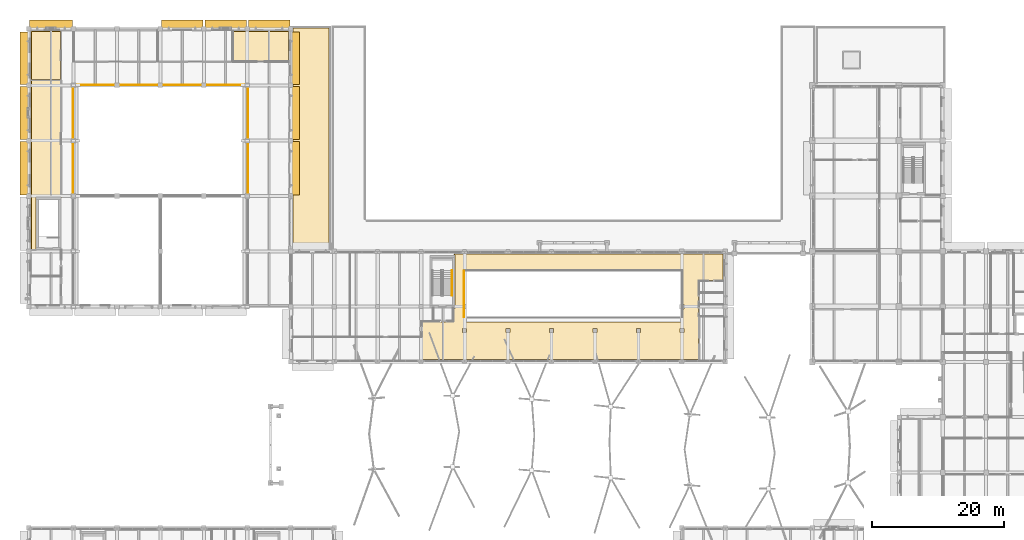
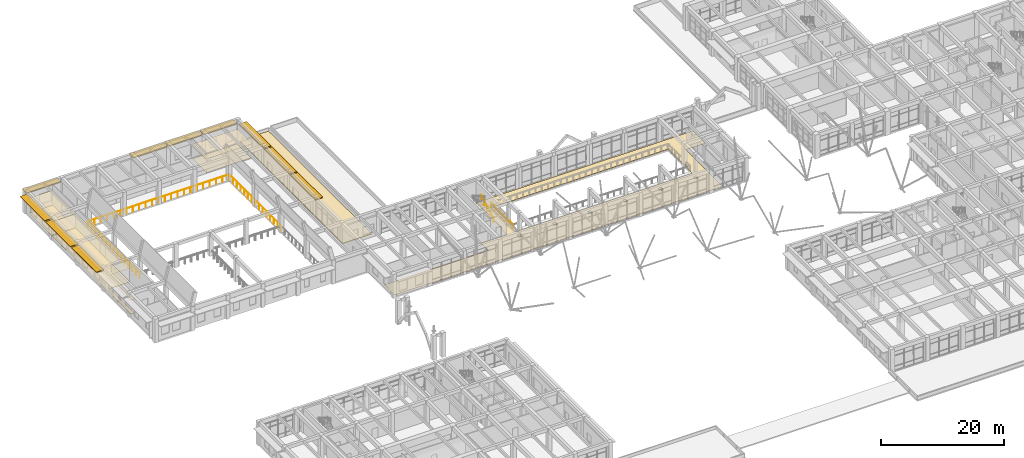
# One storey, part 69 of 75: 10 shading devices, 8 coverings, 5 railings.
"""IFC4 building model written with IfcOpenShell, lengths in metres."""

from ifc_helpers import new_model, si_unit, direction, frame, origin, origin_2d, place, context, subcontext, project, spatial, polyline, rectangle, circle, outline, extrude, material, layer, layer_set, type_object, element, save


model = new_model("IFC4")

# Units and contexts
model_context = context("Model", 3, precision=1e-05, world=origin(), true_north=direction((0.0, 1.0)))
body_context = subcontext(model_context, "Body", "Model", "MODEL_VIEW")
ifc_project = project(units=[si_unit("LENGTHUNIT", "METRE"), si_unit("AREAUNIT", "SQUARE_METRE"), si_unit("VOLUMEUNIT", "CUBIC_METRE"), si_unit("PLANEANGLEUNIT", "RADIAN"), si_unit("MASSUNIT", "GRAM", prefix="KILO")], contexts=[model_context])

# Site, building, storey
site_placement = place(None, origin())
site = spatial("IfcSite", under=ifc_project, at=site_placement, CompositionType="ELEMENT")
building_placement = place(site_placement, origin())
building = spatial("IfcBuilding", under=site, at=building_placement, Name="Kolvaren Faculty of Natural Sciences", CompositionType="ELEMENT")
storey_placement = place(building_placement, frame((0.0, 0.0, 5.39990234375)))
storey = spatial("IfcBuildingStorey", under=building, at=storey_placement, Name="L01", CompositionType="ELEMENT", Elevation=5.39990234375)

# Coverings
ifc_material_1 = material(Name="Perforated mineral-fibre acoustic suspended ceiling tile")
ifc_layer_1 = layer(ifc_material_1, 0.02490234375)
ifc_layer_set_1 = layer_set([ifc_layer_1], Name="Perforated mineral-fibre acoustic suspended ceiling tile")
covering_type_1 = type_object("IfcCoveringType", Name="AcousticSuspendedCeiling_25", PredefinedType="CEILING", material=ifc_layer_set_1)
covering_1_placement = place(storey_placement, frame((0.0, 0.0, 2.8251953125)))
element("IfcCovering", 1, at=covering_1_placement, inside=storey, type_object=covering_type_1, Name="L01 Simultaneous Interpretation Suite acoustic ceiling", PredefinedType="CEILING", context=body_context, shape_type="SweptSolid", body=[
    extrude(outline(polyline([(0.239990234375, 92.25), (0.35009765625, 92.25), (0.35009765625, 92.949951171875), (0.239990234375, 92.949951171875), (0.239990234375, 100.64990234375), (0.35009765625, 100.64990234375), (0.35009765625, 101.35009765625), (0.239990234375, 101.35009765625), (0.239990234375, 109.050048828125), (0.35009765625, 109.050048828125), (0.35009765625, 109.75), (0.239990234375, 109.75), (0.239990234375, 110.280029296875), (4.97998046875, 110.280029296875), (4.97998046875, 92.320068359375), (4.794921875, 92.320068359375), (4.794921875, 92.344970703125), (1.205078125, 92.344970703125), (1.205078125, 84.3701171875), (0.35009765625, 84.3701171875), (0.35009765625, 84.550048828125), (0.239990234375, 84.550048828125), (0.239990234375, 92.25)])), origin(), (0.0, 0.0, 1.0), 0.02490234375),
])
covering_2_placement = place(storey_placement, frame((0.0, 0.0, 2.8251953125)))
element("IfcCovering", 2, at=covering_2_placement, inside=storey, type_object=covering_type_1, Name="L01 Breakout Seminar Classroom V1-101 acoustic ceiling", PredefinedType="CEILING", context=body_context, shape_type="SweptSolid", body=[
    extrude(outline(polyline([(39.56005859375, 112.919921875), (30.919921875, 112.919921875), (30.919921875, 117.760009765625), (32.85009765625, 117.760009765625), (32.85009765625, 117.64990234375), (33.550048828125, 117.64990234375), (33.550048828125, 117.760009765625), (39.449951171875, 117.760009765625), (39.449951171875, 117.64990234375), (39.56005859375, 117.64990234375), (39.56005859375, 112.919921875)])), origin(), (0.0, 0.0, 1.0), 0.02490234375),
])
covering_3_placement = place(storey_placement, frame((0.0, 0.0, 2.8251953125)))
element("IfcCovering", 3, at=covering_3_placement, inside=storey, type_object=covering_type_1, Name="L01 L01 Interdisciplinary Research Laboratory 56 acoustic ceiling", PredefinedType="CEILING", context=body_context, shape_type="SweptSolid", body=[
    extrude(outline(polyline([(4.97998046875, 110.1201171875), (0.239990234375, 110.1201171875), (0.239990234375, 117.64990234375), (0.35009765625, 117.64990234375), (0.35009765625, 117.760009765625), (4.97998046875, 117.760009765625), (4.97998046875, 110.1201171875)])), origin(), (0.0, 0.0, 1.0), 0.02490234375),
])

# Shading devices
ifc_material_2 = material(Name="Precast concrete C35/45", Category="concrete")
ifc_layer_2 = layer(ifc_material_2, 0.1201171875)
ifc_layer_set_2 = layer_set([ifc_layer_2], Name="Precast concrete C35/45")
shading_device_type = type_object("IfcShadingDeviceType", Name="ChhajjaSolarHood_1350", PredefinedType="AWNING", material=ifc_layer_set_2)
for number, where, z_axis, x_axis, name in (
    (4, (-0.655029296875, 96.800048828125, 3.844970703125), (0.0, 0.0, 1.0), (0.0, 1.0, 0.0), "L01 precast sandstone chhajja solar hood 67"),
    (5, (-0.655029296875, 105.199951171875, 3.844970703125), (0.0, 0.0, 1.0), (0.0, 1.0, 0.0), "L01 precast sandstone chhajja solar hood 68"),
):
    element("IfcShadingDevice", number, at=place(storey_placement, frame(where, z_axis=z_axis, x_axis=x_axis)), inside=storey, type_object=shading_device_type, Name=name, PredefinedType="AWNING", context=body_context, shape_type="SweptSolid", body=[
        extrude(rectangle(XDim=8.10009765625, YDim=1.35009765625, at=origin_2d()), origin(), (0.0, 0.0, 1.0), 0.1201171875),
    ])
shading_device_1_placement = place(storey_placement, frame((-0.655029296875, 113.5400390625, 3.844970703125), z_axis=(0.0, 0.0, 1.0), x_axis=(0.0, 1.0, 0.0)))
element("IfcShadingDevice", 6, at=shading_device_1_placement, inside=storey, type_object=shading_device_type, Name="L01 precast sandstone chhajja solar hood 69", PredefinedType="AWNING", context=body_context, shape_type="SweptSolid", body=[
    extrude(rectangle(XDim=7.97998046875, YDim=1.35009765625, at=origin_2d()), origin(), (0.0, 0.0, 1.0), 0.1201171875),
])
shading_device_2_placement = place(storey_placement, frame((3.39990234375, 118.655029296875, 3.695068359375), z_axis=(0.0, 0.0, 1.0), x_axis=(1.0, 0.0, 0.0)))
element("IfcShadingDevice", 7, at=shading_device_2_placement, inside=storey, type_object=shading_device_type, Name="L01 precast sandstone chhajja solar hood 70", PredefinedType="AWNING", context=body_context, shape_type="SweptSolid", body=[
    extrude(rectangle(XDim=6.5, YDim=1.35009765625, at=origin_2d()), origin(), (0.0, 0.0, 1.0), 0.1201171875),
])
for number, where, z_axis, x_axis, name in (
    (8, (23.300048828125, 118.655029296875, 3.695068359375), (0.0, 0.0, 1.0), (1.0, 0.0, 0.0), "L01 precast sandstone chhajja solar hood 71"),
    (9, (29.89990234375, 118.655029296875, 3.695068359375), (0.0, 0.0, 1.0), (1.0, 0.0, 0.0), "L01 precast sandstone chhajja solar hood 72"),
    (10, (36.5, 118.655029296875, 3.695068359375), (0.0, 0.0, 1.0), (1.0, 0.0, 0.0), "L01 precast sandstone chhajja solar hood 73"),
):
    element("IfcShadingDevice", number, at=place(storey_placement, frame(where, z_axis=z_axis, x_axis=x_axis)), inside=storey, type_object=shading_device_type, Name=name, PredefinedType="AWNING", context=body_context, shape_type="SweptSolid", body=[
        extrude(rectangle(XDim=6.300048828125, YDim=1.35009765625, at=origin_2d()), origin(), (0.0, 0.0, 1.0), 0.1201171875),
    ])
shading_device_3_placement = place(storey_placement, frame((40.455078125, 113.5400390625, 3.844970703125), z_axis=(0.0, 0.0, 1.0), x_axis=(0.0, -1.0, 0.0)))
element("IfcShadingDevice", 11, at=shading_device_3_placement, inside=storey, type_object=shading_device_type, Name="L01 precast sandstone chhajja solar hood 74", PredefinedType="AWNING", context=body_context, shape_type="SweptSolid", body=[
    extrude(rectangle(XDim=7.97998046875, YDim=1.35009765625, at=origin_2d()), origin(), (0.0, 0.0, 1.0), 0.1201171875),
])
for number, where, z_axis, x_axis, name in (
    (12, (40.455078125, 105.199951171875, 3.844970703125), (0.0, 0.0, 1.0), (0.0, -1.0, 0.0), "L01 precast sandstone chhajja solar hood 75"),
    (13, (40.455078125, 96.800048828125, 3.844970703125), (0.0, 0.0, 1.0), (0.0, -1.0, 0.0), "L01 precast sandstone chhajja solar hood 76"),
):
    element("IfcShadingDevice", number, at=place(storey_placement, frame(where, z_axis=z_axis, x_axis=x_axis)), inside=storey, type_object=shading_device_type, Name=name, PredefinedType="AWNING", context=body_context, shape_type="SweptSolid", body=[
        extrude(rectangle(XDim=8.10009765625, YDim=1.35009765625, at=origin_2d()), origin(), (0.0, 0.0, 1.0), 0.1201171875),
    ])

# Railings
ifc_material_3 = material(Name="Structural steel EN 10210-1 S355J2H", Category="steel")
ifc_layer_3 = layer(ifc_material_3, 0.048095703125)
ifc_layer_set_3 = layer_set([ifc_layer_3], Name="Structural steel EN 10210-1 S355J2H")
railing_type_1 = type_object("IfcRailingType", Name="GuardRailing_GDVOID1", PredefinedType="BALUSTRADE", material=ifc_layer_set_3)
railing_1_placement = place(storey_placement, frame((66.1201171875, 74.199951171875, 0.0)))
element("IfcRailing", 14, at=railing_1_placement, inside=storey, type_object=railing_type_1, Name="L01 atrium void balustrade 27", PredefinedType="BALUSTRADE", context=body_context, shape_type="SweptSolid", body=[
    extrude(circle(Radius=0.02392578125, at=origin_2d()), frame((0.0, 0.0, 1.09619140625), z_axis=(0.0, 1.0, 0.0), x_axis=(-1.0, 0.0, 0.0)), (0.0, 0.0, 1.0), 7.0),
    extrude(circle(Radius=0.02099609375, at=origin_2d()), origin(), (0.0, 0.0, 1.0), 1.072021484375),
    extrude(circle(Radius=0.02099609375, at=origin_2d()), frame((0.0, 1.166748046875, 0.0)), (0.0, 0.0, 1.0), 1.072021484375),
    extrude(circle(Radius=0.02099609375, at=origin_2d()), frame((0.0, 2.333251953125, 0.0)), (0.0, 0.0, 1.0), 1.072021484375),
    extrude(circle(Radius=0.02099609375, at=origin_2d()), frame((0.0, 3.5, 0.0)), (0.0, 0.0, 1.0), 1.072021484375),
    extrude(circle(Radius=0.02099609375, at=origin_2d()), frame((0.0, 4.666748046875, 0.0)), (0.0, 0.0, 1.0), 1.072021484375),
    extrude(circle(Radius=0.02099609375, at=origin_2d()), frame((0.0, 5.833251953125, 0.0)), (0.0, 0.0, 1.0), 1.072021484375),
    extrude(circle(Radius=0.02099609375, at=origin_2d()), frame((0.0, 7.0, 0.0)), (0.0, 0.0, 1.0), 1.072021484375),
])
railing_2_placement = place(storey_placement, frame((6.719970703125, 92.60009765625, 0.0)))
element("IfcRailing", 15, at=railing_2_placement, inside=storey, type_object=railing_type_1, Name="L01 LT-1 gallery balustrade 39", PredefinedType="BALUSTRADE", context=body_context, shape_type="SweptSolid", body=[
    extrude(circle(Radius=0.02392578125, at=origin_2d()), frame((0.0, 0.0, 1.09619140625), z_axis=(0.0, 1.0, 0.0), x_axis=(-1.0, 0.0, 0.0)), (0.0, 0.0, 1.0), 16.7998046875),
    extrude(circle(Radius=0.02099609375, at=origin_2d()), origin(), (0.0, 0.0, 1.0), 1.072021484375),
    extrude(circle(Radius=0.02099609375, at=origin_2d()), frame((0.0, 1.199951171875, 0.0)), (0.0, 0.0, 1.0), 1.072021484375),
    extrude(circle(Radius=0.02099609375, at=origin_2d()), frame((0.0, 2.39990234375, 0.0)), (0.0, 0.0, 1.0), 1.072021484375),
    extrude(circle(Radius=0.02099609375, at=origin_2d()), frame((0.0, 3.599853515625, 0.0)), (0.0, 0.0, 1.0), 1.072021484375),
    extrude(circle(Radius=0.02099609375, at=origin_2d()), frame((0.0, 4.800048828125, 0.0)), (0.0, 0.0, 1.0), 1.072021484375),
    extrude(circle(Radius=0.02099609375, at=origin_2d()), frame((0.0, 6.0, 0.0)), (0.0, 0.0, 1.0), 1.072021484375),
    extrude(circle(Radius=0.02099609375, at=origin_2d()), frame((0.0, 7.199951171875, 0.0)), (0.0, 0.0, 1.0), 1.072021484375),
    extrude(circle(Radius=0.02099609375, at=origin_2d()), frame((0.0, 8.39990234375, 0.0)), (0.0, 0.0, 1.0), 1.072021484375),
    extrude(circle(Radius=0.02099609375, at=origin_2d()), frame((0.0, 9.599853515625, 0.0)), (0.0, 0.0, 1.0), 1.072021484375),
    extrude(circle(Radius=0.02099609375, at=origin_2d()), frame((0.0, 10.7998046875, 0.0)), (0.0, 0.0, 1.0), 1.072021484375),
    extrude(circle(Radius=0.02099609375, at=origin_2d()), frame((0.0, 11.999755859375, 0.0)), (0.0, 0.0, 1.0), 1.072021484375),
    extrude(circle(Radius=0.02099609375, at=origin_2d()), frame((0.0, 13.199951171875, 0.0)), (0.0, 0.0, 1.0), 1.072021484375),
    extrude(circle(Radius=0.02099609375, at=origin_2d()), frame((0.0, 14.39990234375, 0.0)), (0.0, 0.0, 1.0), 1.072021484375),
    extrude(circle(Radius=0.02099609375, at=origin_2d()), frame((0.0, 15.599853515625, 0.0)), (0.0, 0.0, 1.0), 1.072021484375),
    extrude(circle(Radius=0.02099609375, at=origin_2d()), frame((0.0, 16.7998046875, 0.0)), (0.0, 0.0, 1.0), 1.072021484375),
])
railing_3_placement = place(storey_placement, frame((6.800048828125, 109.47998046875, 0.0)))
element("IfcRailing", 16, at=railing_3_placement, inside=storey, type_object=railing_type_1, Name="L01 LT-1 gallery balustrade 40", PredefinedType="BALUSTRADE", context=body_context, shape_type="SweptSolid", body=[
    extrude(circle(Radius=0.02392578125, at=origin_2d()), frame((0.0, 0.0, 1.09619140625), z_axis=(1.0, 0.0, 0.0), x_axis=(0.0, 1.0, 0.0)), (0.0, 0.0, 1.0), 26.39990234375),
    extrude(circle(Radius=0.02099609375, at=origin_2d()), origin(), (0.0, 0.0, 1.0), 1.072021484375),
    extrude(circle(Radius=0.02099609375, at=origin_2d()), frame((1.199951171875, 0.0, 0.0)), (0.0, 0.0, 1.0), 1.072021484375),
    extrude(circle(Radius=0.02099609375, at=origin_2d()), frame((2.39990234375, 0.0, 0.0)), (0.0, 0.0, 1.0), 1.072021484375),
    extrude(circle(Radius=0.02099609375, at=origin_2d()), frame((3.60009765625, 0.0, 0.0)), (0.0, 0.0, 1.0), 1.072021484375),
    extrude(circle(Radius=0.02099609375, at=origin_2d()), frame((4.800048828125, 0.0, 0.0)), (0.0, 0.0, 1.0), 1.072021484375),
    extrude(circle(Radius=0.02099609375, at=origin_2d()), frame((6.0, 0.0, 0.0)), (0.0, 0.0, 1.0), 1.072021484375),
    extrude(circle(Radius=0.02099609375, at=origin_2d()), frame((7.199951171875, 0.0, 0.0)), (0.0, 0.0, 1.0), 1.072021484375),
    extrude(circle(Radius=0.02099609375, at=origin_2d()), frame((8.39990234375, 0.0, 0.0)), (0.0, 0.0, 1.0), 1.072021484375),
    extrude(circle(Radius=0.02099609375, at=origin_2d()), frame((9.599853515625, 0.0, 0.0)), (0.0, 0.0, 1.0), 1.072021484375),
    extrude(circle(Radius=0.02099609375, at=origin_2d()), frame((10.800048828125, 0.0, 0.0)), (0.0, 0.0, 1.0), 1.072021484375),
    extrude(circle(Radius=0.02099609375, at=origin_2d()), frame((12.0, 0.0, 0.0)), (0.0, 0.0, 1.0), 1.072021484375),
    extrude(circle(Radius=0.02099609375, at=origin_2d()), frame((13.199951171875, 0.0, 0.0)), (0.0, 0.0, 1.0), 1.072021484375),
    extrude(circle(Radius=0.02099609375, at=origin_2d()), frame((14.39990234375, 0.0, 0.0)), (0.0, 0.0, 1.0), 1.072021484375),
    extrude(circle(Radius=0.02099609375, at=origin_2d()), frame((15.599853515625, 0.0, 0.0)), (0.0, 0.0, 1.0), 1.072021484375),
    extrude(circle(Radius=0.02099609375, at=origin_2d()), frame((16.800048828125, 0.0, 0.0)), (0.0, 0.0, 1.0), 1.072021484375),
    extrude(circle(Radius=0.02099609375, at=origin_2d()), frame((18.0, 0.0, 0.0)), (0.0, 0.0, 1.0), 1.072021484375),
    extrude(circle(Radius=0.02099609375, at=origin_2d()), frame((19.199951171875, 0.0, 0.0)), (0.0, 0.0, 1.0), 1.072021484375),
    extrude(circle(Radius=0.02099609375, at=origin_2d()), frame((20.39990234375, 0.0, 0.0)), (0.0, 0.0, 1.0), 1.072021484375),
    extrude(circle(Radius=0.02099609375, at=origin_2d()), frame((21.599853515625, 0.0, 0.0)), (0.0, 0.0, 1.0), 1.072021484375),
    extrude(circle(Radius=0.02099609375, at=origin_2d()), frame((22.7998046875, 0.0, 0.0)), (0.0, 0.0, 1.0), 1.072021484375),
    extrude(circle(Radius=0.02099609375, at=origin_2d()), frame((24.0, 0.0, 0.0)), (0.0, 0.0, 1.0), 1.072021484375),
    extrude(circle(Radius=0.02099609375, at=origin_2d()), frame((25.199951171875, 0.0, 0.0)), (0.0, 0.0, 1.0), 1.072021484375),
    extrude(circle(Radius=0.02099609375, at=origin_2d()), frame((26.39990234375, 0.0, 0.0)), (0.0, 0.0, 1.0), 1.072021484375),
])
railing_4_placement = place(storey_placement, frame((33.280029296875, 109.39990234375, 0.0)))
element("IfcRailing", 17, at=railing_4_placement, inside=storey, type_object=railing_type_1, Name="L01 LT-1 gallery balustrade 41", PredefinedType="BALUSTRADE", context=body_context, shape_type="SweptSolid", body=[
    extrude(circle(Radius=0.02392578125, at=origin_2d()), frame((0.0, 0.0, 1.09619140625), z_axis=(0.0, -1.0, 0.0), x_axis=(1.0, 0.0, 0.0)), (0.0, 0.0, 1.0), 16.7998046875),
    extrude(circle(Radius=0.02099609375, at=origin_2d()), origin(), (0.0, 0.0, 1.0), 1.072021484375),
    extrude(circle(Radius=0.02099609375, at=origin_2d()), frame((0.0, -1.199951171875, 0.0)), (0.0, 0.0, 1.0), 1.072021484375),
    extrude(circle(Radius=0.02099609375, at=origin_2d()), frame((0.0, -2.39990234375, 0.0)), (0.0, 0.0, 1.0), 1.072021484375),
    extrude(circle(Radius=0.02099609375, at=origin_2d()), frame((0.0, -3.599853515625, 0.0)), (0.0, 0.0, 1.0), 1.072021484375),
    extrude(circle(Radius=0.02099609375, at=origin_2d()), frame((0.0, -4.800048828125, 0.0)), (0.0, 0.0, 1.0), 1.072021484375),
    extrude(circle(Radius=0.02099609375, at=origin_2d()), frame((0.0, -6.0, 0.0)), (0.0, 0.0, 1.0), 1.072021484375),
    extrude(circle(Radius=0.02099609375, at=origin_2d()), frame((0.0, -7.199951171875, 0.0)), (0.0, 0.0, 1.0), 1.072021484375),
    extrude(circle(Radius=0.02099609375, at=origin_2d()), frame((0.0, -8.39990234375, 0.0)), (0.0, 0.0, 1.0), 1.072021484375),
    extrude(circle(Radius=0.02099609375, at=origin_2d()), frame((0.0, -9.599853515625, 0.0)), (0.0, 0.0, 1.0), 1.072021484375),
    extrude(circle(Radius=0.02099609375, at=origin_2d()), frame((0.0, -10.7998046875, 0.0)), (0.0, 0.0, 1.0), 1.072021484375),
    extrude(circle(Radius=0.02099609375, at=origin_2d()), frame((0.0, -11.999755859375, 0.0)), (0.0, 0.0, 1.0), 1.072021484375),
    extrude(circle(Radius=0.02099609375, at=origin_2d()), frame((0.0, -13.199951171875, 0.0)), (0.0, 0.0, 1.0), 1.072021484375),
    extrude(circle(Radius=0.02099609375, at=origin_2d()), frame((0.0, -14.39990234375, 0.0)), (0.0, 0.0, 1.0), 1.072021484375),
    extrude(circle(Radius=0.02099609375, at=origin_2d()), frame((0.0, -15.599853515625, 0.0)), (0.0, 0.0, 1.0), 1.072021484375),
    extrude(circle(Radius=0.02099609375, at=origin_2d()), frame((0.0, -16.7998046875, 0.0)), (0.0, 0.0, 1.0), 1.072021484375),
])

# Coverings
ifc_material_4 = material(Name="SBS polymer-modified bitumen waterproofing membrane over PIR insulation")
ifc_layer_4 = layer(ifc_material_4, 0.139892578125)
ifc_layer_set_4 = layer_set([ifc_layer_4], Name="SBS polymer-modified bitumen waterproofing membrane over PIR insulation")
covering_type_2 = type_object("IfcCoveringType", Name="InsulatedRoofMembrane_140", PredefinedType="ROOFING", material=ifc_layer_set_4)
covering_4_placement = place(storey_placement, origin())
element("IfcCovering", 18, at=covering_4_placement, inside=storey, type_object=covering_type_2, Name="L01 insulated warm-roof waterproofing membrane 1", PredefinedType="ROOFING", context=body_context, shape_type="SweptSolid", body=[
    extrude(outline(polyline([(40.12158203125, 118.110107421875), (45.60009765625, 118.110107421875), (45.60009765625, 84.5400390625), (40.139892578125, 84.5400390625), (40.139892578125, 118.0), (40.1396484375, 118.01611328125), (40.139404296875, 118.01806640625), (40.135986328125, 118.052001953125), (40.1357421875, 118.0537109375), (40.129150390625, 118.085205078125), (40.128662109375, 118.087158203125), (40.124267578125, 118.102294921875), (40.12353515625, 118.10400390625), (40.12158203125, 118.110107421875)])), origin(), (0.0, 0.0, 1.0), 0.14013671875),
])
ifc_material_5 = material(Name="Seamless chemical-resistant laboratory epoxy resin flooring")
ifc_layer_5 = layer(ifc_material_5, 0.02001953125)
ifc_layer_set_5 = layer_set([ifc_layer_5], Name="Seamless chemical-resistant laboratory epoxy resin flooring")
covering_type_3 = type_object("IfcCoveringType", Name="LabEpoxyFloorFinish_20", PredefinedType="FLOORING", material=ifc_layer_set_5)
covering_5_placement = place(storey_placement, origin())
element("IfcCovering", 19, at=covering_5_placement, inside=storey, type_object=covering_type_3, Name="L01 L01 Interdisciplinary Research Laboratory 56 floor finish", PredefinedType="FLOORING", context=body_context, shape_type="SweptSolid", body=[
    extrude(outline(polyline([(4.840087890625, 117.6201171875), (4.840087890625, 110.260009765625), (0.3798828125, 110.260009765625), (0.3798828125, 117.6201171875), (4.840087890625, 117.6201171875)])), origin(), (0.0, 0.0, 1.0), 0.02001953125),
])

# Railing
ifc_layer_6 = layer(ifc_material_3, 0.048095703125)
ifc_layer_set_6 = layer_set([ifc_layer_6], Name="Structural steel EN 10210-1 S355J2H")
railing_type_2 = type_object("IfcRailingType", Name="StairPitchHandrail_920", PredefinedType="HANDRAIL", material=ifc_layer_set_6)
railing_5_placement = place(storey_placement, frame((64.300048828125, 77.449951171875, 0.171630859375)))
element("IfcRailing", 20, at=railing_5_placement, inside=storey, type_object=railing_type_2, Name="L01 ST-6 stair handrail 1", PredefinedType="HANDRAIL", context=body_context, shape_type="SweptSolid", body=[
    extrude(circle(Radius=0.02392578125, at=origin_2d()), frame((0.0, 0.0, 0.8759765625), z_axis=(0.0, 0.86461618451, 0.502432934314), x_axis=(-1.0, 0.0, 0.0)), (0.0, 0.0, 1.0), 4.435546875),
    extrude(circle(Radius=0.02099609375, at=origin_2d()), origin(), (0.0, 0.0, 1.0), 0.851806640625),
    extrude(circle(Radius=0.02099609375, at=origin_2d()), frame((0.0, 0.958740234375, 0.55712890625)), (0.0, 0.0, 1.0), 0.851806640625),
    extrude(circle(Radius=0.02099609375, at=origin_2d()), frame((0.0, 1.91748046875, 1.1142578125)), (0.0, 0.0, 1.0), 0.851806640625),
    extrude(circle(Radius=0.02099609375, at=origin_2d()), frame((0.0, 2.876220703125, 1.67138671875)), (0.0, 0.0, 1.0), 0.851806640625),
    extrude(circle(Radius=0.02099609375, at=origin_2d()), frame((0.0, 3.8349609375, 2.228515625)), (0.0, 0.0, 1.0), 0.851806640625),
])

# Coverings
ifc_material_6 = material(Name="Polished Uruguayan grey granite terrazzo flooring", Category="masonry")
ifc_layer_7 = layer(ifc_material_6, 0.030029296875)
ifc_layer_set_7 = layer_set([ifc_layer_7], Name="Polished Uruguayan grey granite terrazzo flooring")
covering_type_4 = type_object("IfcCoveringType", Name="TerrazzoFloorFinish_30", PredefinedType="FLOORING", material=ifc_layer_set_7)
covering_6_placement = place(storey_placement, origin())
element("IfcCovering", 21, at=covering_6_placement, inside=storey, type_object=covering_type_4, Name="L01 L01 Academic Concourse and Corridor floor finish", PredefinedType="FLOORING", context=body_context, shape_type="SweptSolid", body=[
    extrude(outline(polyline([(105.419921875, 83.820068359375), (105.419921875, 79.760009765625), (101.800048828125, 79.760009765625), (101.794189453125, 79.759765625), (101.788330078125, 79.7587890625), (101.78271484375, 79.75732421875), (101.777099609375, 79.75537109375), (101.771728515625, 79.7529296875), (101.7666015625, 79.75), (101.761962890625, 79.746337890625), (101.757568359375, 79.742431640625), (101.753662109375, 79.738037109375), (101.75, 79.7333984375), (101.7470703125, 79.728271484375), (101.74462890625, 79.722900390625), (101.74267578125, 79.71728515625), (101.7412109375, 79.711669921875), (101.740234375, 79.705810546875), (101.739990234375, 79.699951171875), (101.739990234375, 67.780029296875), (40.179931640625, 67.780029296875), (40.179931640625, 71.139892578125), (59.60009765625, 71.139892578125), (59.60595703125, 71.140380859375), (59.61181640625, 71.14111328125), (59.617431640625, 71.142578125), (59.623046875, 71.14453125), (59.62841796875, 71.147216796875), (59.63330078125, 71.150146484375), (59.63818359375, 71.153564453125), (59.642333984375, 71.15771484375), (59.646484375, 71.161865234375), (59.64990234375, 71.166748046875), (59.65283203125, 71.171630859375), (59.655517578125, 71.177001953125), (59.657470703125, 71.1826171875), (59.65869140625, 71.188232421875), (59.65966796875, 71.194091796875), (59.659912109375, 71.199951171875), (59.659912109375, 73.489990234375), (64.5, 73.489990234375), (64.505859375, 73.490234375), (64.51171875, 73.4912109375), (64.517333984375, 73.49267578125), (64.52294921875, 73.49462890625), (64.5283203125, 73.4970703125), (64.533203125, 73.5), (64.5380859375, 73.503662109375), (64.54248046875, 73.507568359375), (64.54638671875, 73.511962890625), (64.5498046875, 73.5166015625), (64.552978515625, 73.521728515625), (64.555419921875, 73.527099609375), (64.557373046875, 73.53271484375), (64.558837890625, 73.538330078125), (64.559814453125, 73.544189453125), (64.56005859375, 73.550048828125), (64.56005859375, 75.5400390625), (64.675048828125, 75.5400390625), (64.680908203125, 75.540283203125), (64.686767578125, 75.541259765625), (64.6923828125, 75.54248046875), (64.697998046875, 75.544677734375), (64.703369140625, 75.547119140625), (64.708251953125, 75.550048828125), (64.713134765625, 75.5537109375), (64.71728515625, 75.5576171875), (64.721435546875, 75.56201171875), (64.724853515625, 75.566650390625), (64.727783203125, 75.57177734375), (64.73046875, 75.576904296875), (64.732421875, 75.58251953125), (64.73388671875, 75.58837890625), (64.734619140625, 75.593994140625), (64.735107421875, 75.60009765625), (64.735107421875, 83.574951171875), (64.734619140625, 83.580810546875), (64.73388671875, 83.586669921875), (64.732421875, 83.59228515625), (64.73046875, 83.597900390625), (64.727783203125, 83.603271484375), (64.724853515625, 83.6083984375), (64.721435546875, 83.613037109375), (64.71728515625, 83.617431640625), (64.713134765625, 83.621337890625), (64.708251953125, 83.625), (64.703369140625, 83.6279296875), (64.697998046875, 83.63037109375), (64.6923828125, 83.63232421875), (64.686767578125, 83.6337890625), (64.680908203125, 83.634765625), (64.675048828125, 83.635009765625), (64.56005859375, 83.635009765625), (64.56005859375, 83.820068359375), (105.419921875, 83.820068359375)]), holes=[polyline([(66.140380859375, 73.544189453125), (66.14111328125, 73.538330078125), (66.142578125, 73.53271484375), (66.14453125, 73.527099609375), (66.147216796875, 73.521728515625), (66.150146484375, 73.5166015625), (66.153564453125, 73.511962890625), (66.15771484375, 73.507568359375), (66.161865234375, 73.503662109375), (66.166748046875, 73.5), (66.171630859375, 73.4970703125), (66.177001953125, 73.49462890625), (66.1826171875, 73.49267578125), (66.188232421875, 73.4912109375), (66.194091796875, 73.490234375), (66.199951171875, 73.489990234375), (99.199951171875, 73.489990234375), (99.205810546875, 73.490234375), (99.211669921875, 73.4912109375), (99.21728515625, 73.49267578125), (99.222900390625, 73.49462890625), (99.228271484375, 73.4970703125), (99.2333984375, 73.5), (99.238037109375, 73.503662109375), (99.242431640625, 73.507568359375), (99.246337890625, 73.511962890625), (99.25, 73.5166015625), (99.2529296875, 73.521728515625), (99.25537109375, 73.527099609375), (99.25732421875, 73.53271484375), (99.2587890625, 73.538330078125), (99.259765625, 73.544189453125), (99.260009765625, 73.550048828125), (99.260009765625, 74.06005859375), (99.280029296875, 74.06005859375), (99.285888671875, 74.060302734375), (99.291748046875, 74.061279296875), (99.29736328125, 74.0625), (99.302978515625, 74.064697265625), (99.308349609375, 74.067138671875), (99.313232421875, 74.070068359375), (99.318115234375, 74.073486328125), (99.322509765625, 74.07763671875), (99.326416015625, 74.081787109375), (99.329833984375, 74.086669921875), (99.3330078125, 74.091796875), (99.33544921875, 74.096923828125), (99.33740234375, 74.1025390625), (99.3388671875, 74.1083984375), (99.339599609375, 74.114013671875), (99.340087890625, 74.1201171875), (99.340087890625, 75.449951171875), (99.550048828125, 75.449951171875), (99.550048828125, 76.14990234375), (99.340087890625, 76.14990234375), (99.340087890625, 81.280029296875), (99.339599609375, 81.285888671875), (99.3388671875, 81.291748046875), (99.33740234375, 81.29736328125), (99.33544921875, 81.302978515625), (99.3330078125, 81.308349609375), (99.329833984375, 81.313232421875), (99.326416015625, 81.318115234375), (99.322509765625, 81.322509765625), (99.318115234375, 81.326416015625), (99.313232421875, 81.329833984375), (99.308349609375, 81.3330078125), (99.302978515625, 81.33544921875), (99.29736328125, 81.33740234375), (99.291748046875, 81.3388671875), (99.285888671875, 81.339599609375), (99.280029296875, 81.340087890625), (66.1201171875, 81.340087890625), (66.114013671875, 81.339599609375), (66.1083984375, 81.3388671875), (66.1025390625, 81.33740234375), (66.096923828125, 81.33544921875), (66.091796875, 81.3330078125), (66.086669921875, 81.329833984375), (66.081787109375, 81.326416015625), (66.07763671875, 81.322509765625), (66.073486328125, 81.318115234375), (66.070068359375, 81.313232421875), (66.067138671875, 81.308349609375), (66.064697265625, 81.302978515625), (66.0625, 81.29736328125), (66.061279296875, 81.291748046875), (66.060302734375, 81.285888671875), (66.06005859375, 81.280029296875), (66.06005859375, 76.10009765625), (65.89990234375, 76.10009765625), (65.89990234375, 75.5), (66.06005859375, 75.5), (66.06005859375, 74.1201171875), (66.060302734375, 74.114013671875), (66.061279296875, 74.1083984375), (66.0625, 74.1025390625), (66.064697265625, 74.096923828125), (66.067138671875, 74.091796875), (66.070068359375, 74.086669921875), (66.073486328125, 74.081787109375), (66.07763671875, 74.07763671875), (66.081787109375, 74.073486328125), (66.086669921875, 74.070068359375), (66.091796875, 74.067138671875), (66.096923828125, 74.064697265625), (66.1025390625, 74.0625), (66.1083984375, 74.061279296875), (66.114013671875, 74.060302734375), (66.1201171875, 74.06005859375), (66.139892578125, 74.06005859375), (66.139892578125, 73.550048828125), (66.140380859375, 73.544189453125)]), polyline([(65.89990234375, 72.5), (65.89990234375, 71.89990234375), (66.5, 71.89990234375), (66.5, 72.5), (65.89990234375, 72.5)]), polyline([(79.699951171875, 72.5), (79.10009765625, 72.5), (79.10009765625, 71.89990234375), (79.699951171875, 71.89990234375), (79.699951171875, 72.5)]), polyline([(86.300048828125, 72.5), (85.699951171875, 72.5), (85.699951171875, 71.89990234375), (86.300048828125, 71.89990234375), (86.300048828125, 72.5)]), polyline([(72.5, 72.5), (72.5, 71.89990234375), (73.10009765625, 71.89990234375), (73.10009765625, 72.5), (72.5, 72.5)]), polyline([(92.89990234375, 72.5), (92.300048828125, 72.5), (92.300048828125, 71.89990234375), (92.89990234375, 71.89990234375), (92.89990234375, 72.5)]), polyline([(99.5, 72.5), (98.89990234375, 72.5), (98.89990234375, 71.89990234375), (99.5, 71.89990234375), (99.5, 72.5)])]), origin(), (0.0, 0.0, 1.0), 0.030029296875),
])
covering_7_placement = place(storey_placement, origin())
element("IfcCovering", 22, at=covering_7_placement, inside=storey, type_object=covering_type_4, Name="L01 Simultaneous Interpretation Suite floor finish", PredefinedType="FLOORING", context=body_context, shape_type="SweptSolid", body=[
    extrude(outline(polyline([(0.3798828125, 84.510009765625), (0.3798828125, 110.139892578125), (4.840087890625, 110.139892578125), (4.840087890625, 92.485107421875), (1.125, 92.485107421875), (1.119140625, 92.484619140625), (1.11328125, 92.48388671875), (1.107666015625, 92.482421875), (1.10205078125, 92.48046875), (1.0966796875, 92.477783203125), (1.091796875, 92.474853515625), (1.0869140625, 92.471435546875), (1.08251953125, 92.46728515625), (1.07861328125, 92.463134765625), (1.0751953125, 92.458251953125), (1.072021484375, 92.453369140625), (1.069580078125, 92.447998046875), (1.067626953125, 92.4423828125), (1.066162109375, 92.436767578125), (1.065185546875, 92.430908203125), (1.06494140625, 92.425048828125), (1.06494140625, 84.510009765625), (0.3798828125, 84.510009765625)])), origin(), (0.0, 0.0, 1.0), 0.030029296875),
])
covering_8_placement = place(storey_placement, origin())
element("IfcCovering", 23, at=covering_8_placement, inside=storey, type_object=covering_type_4, Name="L01 Breakout Seminar Classroom V1-101 floor finish", PredefinedType="FLOORING", context=body_context, shape_type="SweptSolid", body=[
    extrude(outline(polyline([(39.419921875, 117.6201171875), (39.419921875, 113.06005859375), (31.06005859375, 113.06005859375), (31.06005859375, 117.6201171875), (39.419921875, 117.6201171875)])), origin(), (0.0, 0.0, 1.0), 0.030029296875),
])

save(model, "model.ifc")
